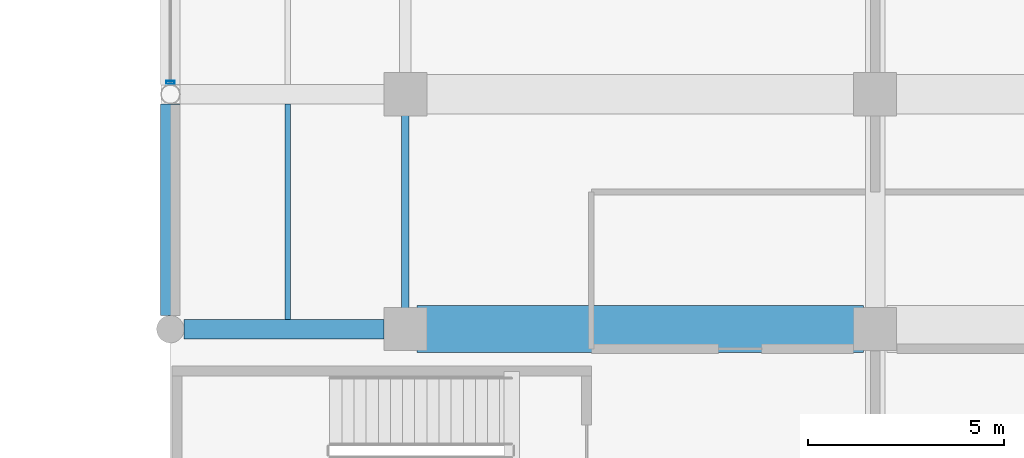
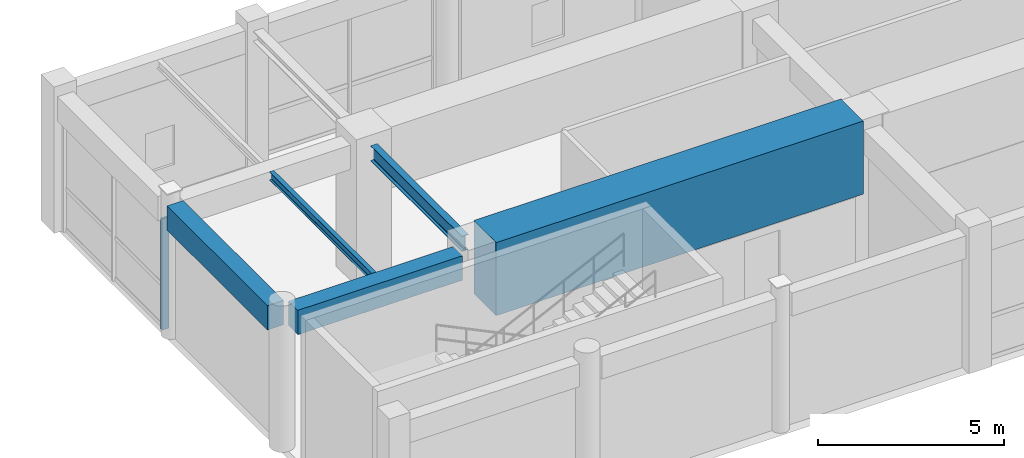
# One storey, part 54 of 123: 5 beams, 1 member, 1 element without a shape of its own.
"""IFC4 building model written with IfcOpenShell, lengths in metres."""

import ifcopenshell
import ifcopenshell.guid

model = None  # the IFC model being written
_history = None  # IfcOwnerHistory: only IFC2X3 demands one
_inside = {}  # id of a spatial element -> (the spatial element, [elements in it])
_under = {}  # id of a project, library or spatial element -> (it, [spatial elements below it])
_declared = {}  # id of a project -> (the project, [libraries it declares])
_typed = {}  # id of a type object -> (the type object, [elements of that type])
_made_of = {}  # id of a material, layer set ... -> (it, [elements and type objects made of it])


def new_model(schema):
    """Start an empty IFC model of exactly this schema.

    Asked for "IFC4X3", IfcOpenShell would pick the latest addendum, in which some entities
    have other attributes; the version numbers below select the first issue.
    IFC2X3 requires an IfcOwnerHistory on every rooted entity: one is made here for all.
    """
    global model, _history
    if schema == "IFC4X3":
        model = ifcopenshell.file(schema_version=(4, 3, 0, 0))
    else:
        model = ifcopenshell.file(schema=schema)
    _inside.clear()
    _under.clear()
    _declared.clear()
    _typed.clear()
    _made_of.clear()
    _history = None
    if model.schema == "IFC2X3":
        org = make("IfcOrganization", Name="unknown")
        user = make(
            "IfcPersonAndOrganization",
            ThePerson=make("IfcPerson", FamilyName="unknown"),
            TheOrganization=org,
        )
        app = make(
            "IfcApplication",
            ApplicationDeveloper=org,
            Version="unknown",
            ApplicationFullName="unknown",
            ApplicationIdentifier="unknown",
        )
        _history = make(
            "IfcOwnerHistory",
            OwningUser=user,
            OwningApplication=app,
            ChangeAction="ADDED",
            CreationDate=0,
        )
    return model


def make(cls, **values):
    """One entity of the class cls with the attributes given. An attribute that is None is left unset."""
    return model.create_entity(
        cls, **{name: value for name, value in values.items() if value is not None}
    )


def rooted(cls, **values):
    """An entity with a GlobalId (a new one), such as an element, a storey or a relation."""
    return make(cls, GlobalId=ifcopenshell.guid.new(), OwnerHistory=_history, **values)


def si_unit(unit_type, name, prefix=None):
    """IfcSIUnit, for example si_unit("LENGTHUNIT", "METRE", prefix="MILLI")."""
    return make("IfcSIUnit", UnitType=unit_type, Prefix=prefix, Name=name)


def assignment(units):
    """IfcUnitAssignment: the units of a project."""
    return None if units is None else make("IfcUnitAssignment", Units=units)


def point(xyz):
    """IfcCartesianPoint."""
    return None if xyz is None else make("IfcCartesianPoint", Coordinates=xyz)


def direction(xyz):
    """IfcDirection."""
    return None if xyz is None else make("IfcDirection", DirectionRatios=xyz)


def frame(location, z_axis=None, x_axis=None):
    """IfcAxis2Placement3D, a coordinate frame: its origin and axes. An axis left out is left unset."""
    return make(
        "IfcAxis2Placement3D",
        Location=point(location),
        Axis=direction(z_axis),
        RefDirection=direction(x_axis),
    )


def frame_2d(location, x_axis=None):
    """IfcAxis2Placement2D, a coordinate frame in the plane: its origin and x axis."""
    return make(
        "IfcAxis2Placement2D", Location=point(location), RefDirection=direction(x_axis)
    )


def origin():
    """The frame at (0, 0, 0) with its axes left unset."""
    return frame((0.0, 0.0, 0.0))


def origin_2d():
    """The frame at (0, 0) in the plane with its x axis left unset."""
    return frame_2d((0.0, 0.0))


def place(relative_to, where):
    """IfcLocalPlacement: puts the frame where relative to a parent placement (None: the world)."""
    return make(
        "IfcLocalPlacement", PlacementRelTo=relative_to, RelativePlacement=where
    )


def context(
    kind, dimensions, precision=None, world=None, true_north=None, identifier=None
):
    """IfcGeometricRepresentationContext, for example the 3D "Model" context."""
    return make(
        "IfcGeometricRepresentationContext",
        ContextIdentifier=identifier,
        ContextType=kind,
        CoordinateSpaceDimension=dimensions,
        Precision=precision,
        WorldCoordinateSystem=world,
        TrueNorth=true_north,
    )


def subcontext(parent, identifier, kind, view, scale=None):
    """IfcGeometricRepresentationSubContext, for example "Body" below "Model"."""
    return make(
        "IfcGeometricRepresentationSubContext",
        ContextIdentifier=identifier,
        ContextType=kind,
        ParentContext=parent,
        TargetScale=scale,
        TargetView=view,
    )


def project(units=None, contexts=None):
    """IfcProject with its units and contexts."""
    return rooted(
        "IfcProject",
        Name="project",
        RepresentationContexts=contexts,
        UnitsInContext=assignment(units),
    )


def spatial(cls, under=None, at=None, **own):
    """A site, building, storey or space (cls), placed at a placement, below another one or the project."""
    s = rooted(cls, ObjectPlacement=at, **own)
    if under is not None:
        _under.setdefault(under.id(), (under, []))[1].append(s)
    return s


def profile(cls, at=None, kind="AREA", **sizes):
    """A parametric profile (cls). Its sizes go by their IFC names, for example OverallWidth=200.0."""
    return make(cls, ProfileType=kind, Position=at, **sizes)


def rectangle(**sizes):
    """IfcRectangleProfileDef."""
    return profile("IfcRectangleProfileDef", **sizes)


def hollow_rectangle(**sizes):
    """IfcRectangleHollowProfileDef."""
    return profile("IfcRectangleHollowProfileDef", **sizes)


def i_section(**sizes):
    """IfcIShapeProfileDef."""
    return profile("IfcIShapeProfileDef", **sizes)


def extrude(swept, where, along, depth):
    """IfcExtrudedAreaSolid: the profile swept, set in the frame where, extruded along a direction by depth."""
    return make(
        "IfcExtrudedAreaSolid",
        SweptArea=swept,
        Position=where,
        ExtrudedDirection=direction(along),
        Depth=depth,
    )


def shape(context_of_items, identifier, shape_type, items):
    """IfcShapeRepresentation: the items that make up one representation, for example the "Body"."""
    return make(
        "IfcShapeRepresentation",
        ContextOfItems=context_of_items,
        RepresentationIdentifier=identifier,
        RepresentationType=shape_type,
        Items=items,
    )


def material(Name=None, Category=None):
    """IfcMaterial."""
    return make("IfcMaterial", Name=Name, Category=Category)


def material_profile(
    of_material, cross_section, Name=None, Category=None, Priority=None
):
    """IfcMaterialProfile: a cross section and its material."""
    return make(
        "IfcMaterialProfile",
        Name=Name,
        Material=of_material,
        Profile=cross_section,
        Priority=Priority,
        Category=Category,
    )


def profile_set(profiles, Name=None, composite=None):
    """IfcMaterialProfileSet."""
    return make(
        "IfcMaterialProfileSet",
        Name=Name,
        MaterialProfiles=profiles,
        CompositeProfile=composite,
    )


def made_of(thing, what):
    """Note that an element or type object is made of a material, layer set ...; save() writes the relation."""
    if what is not None:
        _made_of.setdefault(what.id(), (what, []))[1].append(thing)
    return thing


def type_object(cls, material=None, **own):
    """A type object (cls), such as IfcWallType, which elements share."""
    return made_of(rooted(cls, **own), material)


def element(
    cls,
    number,
    at=None,
    inside=None,
    cuts=None,
    type_object=None,
    material=None,
    context=None,
    identifier="Body",
    shape_type=None,
    held_by="IfcProductDefinitionShape",
    body=None,
    shapes=None,
    **own,
):
    """One element of the class cls, such as IfcWall. Its Tag is "e" and its number.

    at: its placement. inside: the storey or other place that contains it. cuts: it is an
    opening in that element (IfcRelVoidsElement). A single representation is given by context,
    identifier, shape_type and body (its items); several are given by shapes. held_by: the class
    of the entity that holds the representations. save() writes the other relations.
    """
    e = rooted(cls, Tag="e%d" % number, ObjectPlacement=at, **own)
    if body is not None:
        shapes = [shape(context, identifier, shape_type, body)]
    if shapes is not None:
        e.Representation = make(held_by, Representations=shapes)
    if inside is not None:
        _inside.setdefault(inside.id(), (inside, []))[1].append(e)
    if cuts is not None:
        rooted(
            "IfcRelVoidsElement", RelatingBuildingElement=cuts, RelatedOpeningElement=e
        )
    if type_object is not None:
        _typed.setdefault(type_object.id(), (type_object, []))[1].append(e)
    return made_of(e, material)


def aggregate(whole, parts):
    """IfcRelAggregates: a whole, such as a stair, and the parts it consists of."""
    return rooted("IfcRelAggregates", RelatingObject=whole, RelatedObjects=parts)


def save(model, path):
    """Write the relations noted so far, then the file.

    IfcRelAggregates (storeys below a building ...), IfcRelContainedInSpatialStructure (elements
    in a storey), IfcRelDefinesByType, IfcRelAssociatesMaterial and IfcRelDeclares: one each for
    every whole, place, type object, material and project.
    """
    for whole, parts in _under.values():
        aggregate(whole, parts)
    for where, things in _inside.values():
        rooted(
            "IfcRelContainedInSpatialStructure",
            RelatedElements=things,
            RelatingStructure=where,
        )
    for kind, things in _typed.values():
        rooted("IfcRelDefinesByType", RelatedObjects=things, RelatingType=kind)
    for what, things in _made_of.values():
        rooted("IfcRelAssociatesMaterial", RelatedObjects=things, RelatingMaterial=what)
    for by, libraries in _declared.values():
        rooted("IfcRelDeclares", RelatingContext=by, RelatedDefinitions=libraries)
    model.write(path)


model = new_model("IFC4")

# Units and contexts
model_context = context("Model", 3, precision=1e-05, world=origin(), true_north=direction((0.0, 1.0)))
body_context = subcontext(model_context, "Body", "Model", "MODEL_VIEW")
ifc_project = project(units=[si_unit("LENGTHUNIT", "METRE"), si_unit("AREAUNIT", "SQUARE_METRE"), si_unit("VOLUMEUNIT", "CUBIC_METRE"), si_unit("PLANEANGLEUNIT", "RADIAN"), si_unit("MASSUNIT", "GRAM", prefix="KILO"), si_unit("THERMODYNAMICTEMPERATUREUNIT", "KELVIN"), si_unit("POWERUNIT", "WATT")], contexts=[model_context])

# Site, building, storey
site_placement = place(None, origin())
site = spatial("IfcSite", under=ifc_project, at=site_placement, CompositionType="ELEMENT")
building_placement = place(site_placement, origin())
building = spatial("IfcBuilding", under=site, at=building_placement, Name="Phaisarnlok Congress Hotel", CompositionType="ELEMENT")
storey_placement = place(building_placement, frame((0.0, 0.0, 15.0)))
storey = spatial("IfcBuildingStorey", under=building, at=storey_placement, Name="L03", CompositionType="ELEMENT", Elevation=15.0)

# Beams
ifc_material_1 = material(Name="Concrete C40/50", Category="concrete")
ifc_material_profile_1 = material_profile(ifc_material_1, rectangle(XDim=0.5, YDim=0.800048828125, at=origin_2d()), Name="RC 500x800")
ifc_profile_set_1 = profile_set([ifc_material_profile_1], Name="Concrete C40/50")
beam_type_1 = type_object("IfcBeamType", Name="BM-RC-500x800", PredefinedType="BEAM", material=ifc_profile_set_1)
beam_1_placement = place(storey_placement, frame((66.344970703125, 114.0, 4.050048828125), z_axis=(1.0, 0.0, 0.0), x_axis=(0.0, 1.0, 0.0)))
element("IfcBeam", 1, at=beam_1_placement, inside=storey, type_object=beam_type_1, Name="Beam B-04", PredefinedType="BEAM", context=body_context, shape_type="SweptSolid", body=[
    extrude(rectangle(XDim=0.5, YDim=0.800048828125, at=origin_2d()), origin(), (0.0, 0.0, 1.0), 5.110107421875),
])
ifc_material_2 = material(Name="Steel S355", Category="steel")
ifc_material_profile_2 = material_profile(ifc_material_2, i_section(OverallWidth=0.199951171875, OverallDepth=0.5, WebThickness=0.01025390625, FlangeThickness=0.01611328125, FilletRadius=0.02099609375, at=origin_2d()), Name="IPE 500")
ifc_profile_set_2 = profile_set([ifc_material_profile_2], Name="Steel S355")
beam_type_2 = type_object("IfcBeamType", Name="BM-STL-IPE500", PredefinedType="BEAM", material=ifc_profile_set_2)
beam_2_placement = place(storey_placement, frame((72.0, 114.544921875, 4.199951171875), z_axis=(0.0, 1.0, 0.0), x_axis=(-1.0, 0.0, 0.0)))
element("IfcBeam", 2, at=beam_2_placement, inside=storey, type_object=beam_type_2, Name="Beam SB-02", PredefinedType="BEAM", context=body_context, shape_type="SweptSolid", body=[
    extrude(i_section(OverallWidth=0.199951171875, OverallDepth=0.5, WebThickness=0.01025390625, FlangeThickness=0.01611328125, FilletRadius=0.02099609375, at=origin_2d()), origin(), (0.0, 0.0, 1.0), 4.91015625),
])

# Curtain wall, member
ifc_material_3 = material(Name="Thermally Broken Unitised Aluminium & Low-E Glazing", Category="aluminium")
curtain_wall_type = type_object("IfcCurtainWallType", Name="CW-UNIT-32", PredefinedType="NOTDEFINED", material=ifc_material_3)
curtain_wall_placement = place(storey_placement, origin())
curtain_wall = element("IfcCurtainWall", 3, at=curtain_wall_placement, inside=storey, type_object=curtain_wall_type, Name="Unitised curtain wall CW-32 (L03)", PredefinedType="NOTDEFINED")
ifc_material_4 = material(Name="Anodised Aluminium Alloy 6063-T6", Category="aluminium")
ifc_material_profile_3 = material_profile(ifc_material_4, hollow_rectangle(XDim=0.074951171875, YDim=0.219970703125, WallThickness=0.0048828125, at=origin_2d()), Name="ALU-M 75x220x5")
ifc_profile_set_3 = profile_set([ifc_material_profile_3], Name="Anodised Aluminium Alloy 6063-T6")
member_type = type_object("IfcMemberType", Name="CWM-220", PredefinedType="MULLION", material=ifc_profile_set_3)
member_placement = place(storey_placement, frame((66.0, 120.303955078125, 0.0), z_axis=(0.0, 0.0, 1.0), x_axis=(0.0, -1.0, 0.0)))
member = element("IfcMember", 4, at=member_placement, type_object=member_type, Name="Curtain wall mullion CWM-02", PredefinedType="MULLION", context=body_context, shape_type="SweptSolid", body=[
    extrude(hollow_rectangle(XDim=0.074951171875, YDim=0.219970703125, WallThickness=0.0048828125, at=origin_2d()), origin(), (0.0, 0.0, 1.0), 3.64990234375),
])
aggregate(curtain_wall, [member])

# Beams
ifc_material_profile_4 = material_profile(ifc_material_2, i_section(OverallWidth=0.135009765625, OverallDepth=0.27001953125, WebThickness=0.006591796875, FlangeThickness=0.01025390625, FilletRadius=0.014892578125, at=origin_2d()), Name="IPE 270")
ifc_profile_set_4 = profile_set([ifc_material_profile_4], Name="Steel S355")
beam_type_3 = type_object("IfcBeamType", Name="JS-STL-IPE270", PredefinedType="JOIST", material=ifc_profile_set_4)
beam_3_placement = place(storey_placement, frame((69.0, 114.2451171875, 4.31494140625), z_axis=(0.0, 1.0, 0.0), x_axis=(-1.0, 0.0, 0.0)))
element("IfcBeam", 5, at=beam_3_placement, inside=storey, type_object=beam_type_3, Name="Secondary floor joist J-02", PredefinedType="JOIST", context=body_context, shape_type="SweptSolid", body=[
    extrude(i_section(OverallWidth=0.135009765625, OverallDepth=0.27001953125, WebThickness=0.006591796875, FlangeThickness=0.01025390625, FilletRadius=0.014892578125, at=origin_2d()), origin(), (0.0, 0.0, 1.0), 5.509765625),
])
ifc_material_profile_5 = material_profile(ifc_material_1, rectangle(XDim=0.5, YDim=0.800048828125, at=origin_2d()), Name="RC 500x800")
ifc_profile_set_5 = profile_set([ifc_material_profile_5], Name="Concrete C40/50")
beam_type_4 = type_object("IfcBeamType", Name="SP-RC-500x800", PredefinedType="SPANDREL", material=ifc_profile_set_5)
beam_4_placement = place(storey_placement, frame((66.0, 114.344970703125, 4.050048828125), z_axis=(0.0, 1.0, 0.0), x_axis=(-1.0, 0.0, 0.0)))
element("IfcBeam", 6, at=beam_4_placement, inside=storey, type_object=beam_type_4, Name="Beam SP-04", PredefinedType="SPANDREL", context=body_context, shape_type="SweptSolid", body=[
    extrude(rectangle(XDim=0.5, YDim=0.800048828125, at=origin_2d()), origin(), (0.0, 0.0, 1.0), 5.406005859375),
])
ifc_material_5 = material(Name="Concrete C50/60", Category="concrete")
ifc_material_profile_6 = material_profile(ifc_material_5, rectangle(XDim=1.199951171875, YDim=2.39990234375, at=origin_2d()), Name="RC 1200x2400")
ifc_profile_set_6 = profile_set([ifc_material_profile_6], Name="Concrete C50/60")
beam_type_5 = type_object("IfcBeamType", Name="TG-RC-1200x2400", PredefinedType="BEAM", material=ifc_profile_set_6)
beam_5_placement = place(storey_placement, frame((72.300048828125, 114.0, 3.60009765625), z_axis=(1.0, 0.0, 0.0), x_axis=(0.0, 1.0, 0.0)))
element("IfcBeam", 7, at=beam_5_placement, inside=storey, type_object=beam_type_5, Name="Transfer girder TG-02 supporting hotel wing", PredefinedType="BEAM", context=body_context, shape_type="SweptSolid", body=[
    extrude(rectangle(XDim=1.199951171875, YDim=2.39990234375, at=origin_2d()), origin(), (0.0, 0.0, 1.0), 11.39990234375),
])

save(model, "model.ifc")
